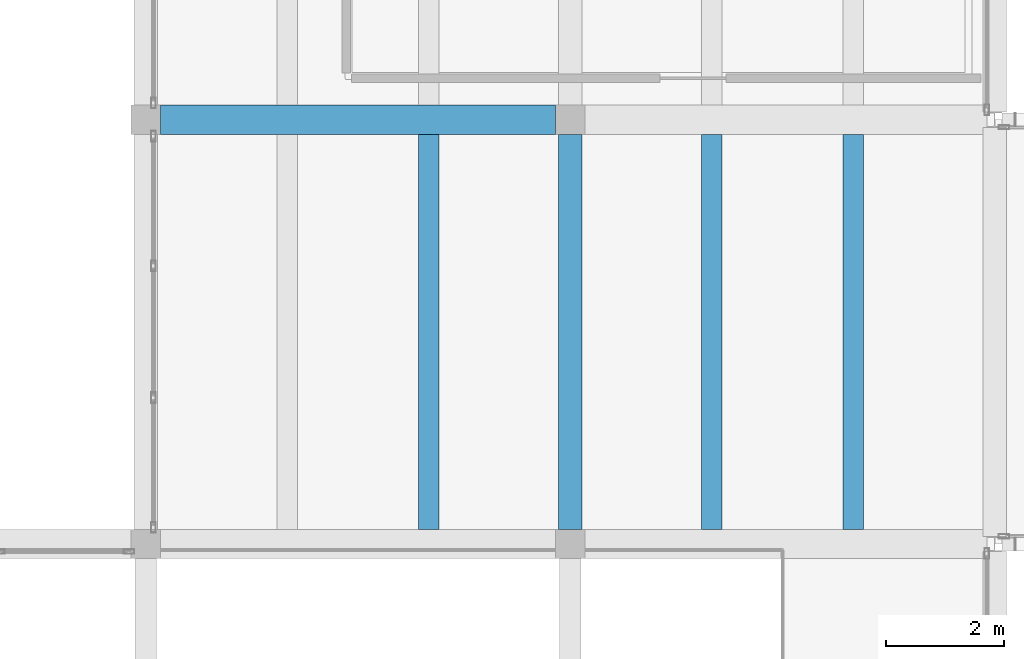
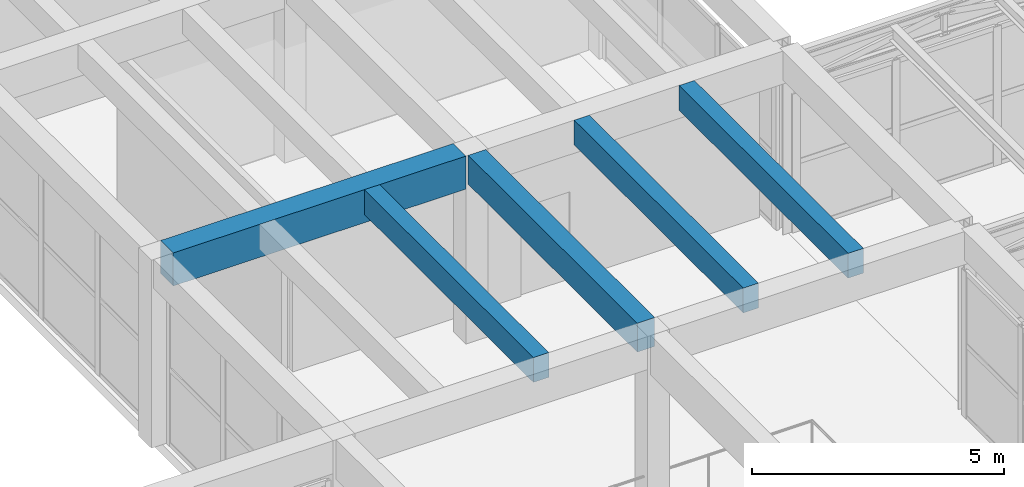
# One storey, part 43 of 153: 5 beams.
"""IFC4 building model written with IfcOpenShell, lengths in metres."""

import ifcopenshell
import ifcopenshell.guid

model = None  # the IFC model being written
_history = None  # IfcOwnerHistory: only IFC2X3 demands one
_inside = {}  # id of a spatial element -> (the spatial element, [elements in it])
_under = {}  # id of a project, library or spatial element -> (it, [spatial elements below it])
_declared = {}  # id of a project -> (the project, [libraries it declares])
_typed = {}  # id of a type object -> (the type object, [elements of that type])
_made_of = {}  # id of a material, layer set ... -> (it, [elements and type objects made of it])


def new_model(schema):
    """Start an empty IFC model of exactly this schema.

    Asked for "IFC4X3", IfcOpenShell would pick the latest addendum, in which some entities
    have other attributes; the version numbers below select the first issue.
    IFC2X3 requires an IfcOwnerHistory on every rooted entity: one is made here for all.
    """
    global model, _history
    if schema == "IFC4X3":
        model = ifcopenshell.file(schema_version=(4, 3, 0, 0))
    else:
        model = ifcopenshell.file(schema=schema)
    _inside.clear()
    _under.clear()
    _declared.clear()
    _typed.clear()
    _made_of.clear()
    _history = None
    if model.schema == "IFC2X3":
        org = make("IfcOrganization", Name="unknown")
        user = make(
            "IfcPersonAndOrganization",
            ThePerson=make("IfcPerson", FamilyName="unknown"),
            TheOrganization=org,
        )
        app = make(
            "IfcApplication",
            ApplicationDeveloper=org,
            Version="unknown",
            ApplicationFullName="unknown",
            ApplicationIdentifier="unknown",
        )
        _history = make(
            "IfcOwnerHistory",
            OwningUser=user,
            OwningApplication=app,
            ChangeAction="ADDED",
            CreationDate=0,
        )
    return model


def make(cls, **values):
    """One entity of the class cls with the attributes given. An attribute that is None is left unset."""
    return model.create_entity(
        cls, **{name: value for name, value in values.items() if value is not None}
    )


def rooted(cls, **values):
    """An entity with a GlobalId (a new one), such as an element, a storey or a relation."""
    return make(cls, GlobalId=ifcopenshell.guid.new(), OwnerHistory=_history, **values)


def si_unit(unit_type, name, prefix=None):
    """IfcSIUnit, for example si_unit("LENGTHUNIT", "METRE", prefix="MILLI")."""
    return make("IfcSIUnit", UnitType=unit_type, Prefix=prefix, Name=name)


def assignment(units):
    """IfcUnitAssignment: the units of a project."""
    return None if units is None else make("IfcUnitAssignment", Units=units)


def point(xyz):
    """IfcCartesianPoint."""
    return None if xyz is None else make("IfcCartesianPoint", Coordinates=xyz)


def direction(xyz):
    """IfcDirection."""
    return None if xyz is None else make("IfcDirection", DirectionRatios=xyz)


def frame(location, z_axis=None, x_axis=None):
    """IfcAxis2Placement3D, a coordinate frame: its origin and axes. An axis left out is left unset."""
    return make(
        "IfcAxis2Placement3D",
        Location=point(location),
        Axis=direction(z_axis),
        RefDirection=direction(x_axis),
    )


def frame_2d(location, x_axis=None):
    """IfcAxis2Placement2D, a coordinate frame in the plane: its origin and x axis."""
    return make(
        "IfcAxis2Placement2D", Location=point(location), RefDirection=direction(x_axis)
    )


def origin():
    """The frame at (0, 0, 0) with its axes left unset."""
    return frame((0.0, 0.0, 0.0))


def origin_2d():
    """The frame at (0, 0) in the plane with its x axis left unset."""
    return frame_2d((0.0, 0.0))


def place(relative_to, where):
    """IfcLocalPlacement: puts the frame where relative to a parent placement (None: the world)."""
    return make(
        "IfcLocalPlacement", PlacementRelTo=relative_to, RelativePlacement=where
    )


def context(
    kind, dimensions, precision=None, world=None, true_north=None, identifier=None
):
    """IfcGeometricRepresentationContext, for example the 3D "Model" context."""
    return make(
        "IfcGeometricRepresentationContext",
        ContextIdentifier=identifier,
        ContextType=kind,
        CoordinateSpaceDimension=dimensions,
        Precision=precision,
        WorldCoordinateSystem=world,
        TrueNorth=true_north,
    )


def subcontext(parent, identifier, kind, view, scale=None):
    """IfcGeometricRepresentationSubContext, for example "Body" below "Model"."""
    return make(
        "IfcGeometricRepresentationSubContext",
        ContextIdentifier=identifier,
        ContextType=kind,
        ParentContext=parent,
        TargetScale=scale,
        TargetView=view,
    )


def project(units=None, contexts=None):
    """IfcProject with its units and contexts."""
    return rooted(
        "IfcProject",
        Name="project",
        RepresentationContexts=contexts,
        UnitsInContext=assignment(units),
    )


def spatial(cls, under=None, at=None, **own):
    """A site, building, storey or space (cls), placed at a placement, below another one or the project."""
    s = rooted(cls, ObjectPlacement=at, **own)
    if under is not None:
        _under.setdefault(under.id(), (under, []))[1].append(s)
    return s


def profile(cls, at=None, kind="AREA", **sizes):
    """A parametric profile (cls). Its sizes go by their IFC names, for example OverallWidth=200.0."""
    return make(cls, ProfileType=kind, Position=at, **sizes)


def rectangle(**sizes):
    """IfcRectangleProfileDef."""
    return profile("IfcRectangleProfileDef", **sizes)


def extrude(swept, where, along, depth):
    """IfcExtrudedAreaSolid: the profile swept, set in the frame where, extruded along a direction by depth."""
    return make(
        "IfcExtrudedAreaSolid",
        SweptArea=swept,
        Position=where,
        ExtrudedDirection=direction(along),
        Depth=depth,
    )


def shape(context_of_items, identifier, shape_type, items):
    """IfcShapeRepresentation: the items that make up one representation, for example the "Body"."""
    return make(
        "IfcShapeRepresentation",
        ContextOfItems=context_of_items,
        RepresentationIdentifier=identifier,
        RepresentationType=shape_type,
        Items=items,
    )


def material(Name=None, Category=None):
    """IfcMaterial."""
    return make("IfcMaterial", Name=Name, Category=Category)


def material_profile(
    of_material, cross_section, Name=None, Category=None, Priority=None
):
    """IfcMaterialProfile: a cross section and its material."""
    return make(
        "IfcMaterialProfile",
        Name=Name,
        Material=of_material,
        Profile=cross_section,
        Priority=Priority,
        Category=Category,
    )


def profile_set(profiles, Name=None, composite=None):
    """IfcMaterialProfileSet."""
    return make(
        "IfcMaterialProfileSet",
        Name=Name,
        MaterialProfiles=profiles,
        CompositeProfile=composite,
    )


def made_of(thing, what):
    """Note that an element or type object is made of a material, layer set ...; save() writes the relation."""
    if what is not None:
        _made_of.setdefault(what.id(), (what, []))[1].append(thing)
    return thing


def type_object(cls, material=None, **own):
    """A type object (cls), such as IfcWallType, which elements share."""
    return made_of(rooted(cls, **own), material)


def element(
    cls,
    number,
    at=None,
    inside=None,
    cuts=None,
    type_object=None,
    material=None,
    context=None,
    identifier="Body",
    shape_type=None,
    held_by="IfcProductDefinitionShape",
    body=None,
    shapes=None,
    **own,
):
    """One element of the class cls, such as IfcWall. Its Tag is "e" and its number.

    at: its placement. inside: the storey or other place that contains it. cuts: it is an
    opening in that element (IfcRelVoidsElement). A single representation is given by context,
    identifier, shape_type and body (its items); several are given by shapes. held_by: the class
    of the entity that holds the representations. save() writes the other relations.
    """
    e = rooted(cls, Tag="e%d" % number, ObjectPlacement=at, **own)
    if body is not None:
        shapes = [shape(context, identifier, shape_type, body)]
    if shapes is not None:
        e.Representation = make(held_by, Representations=shapes)
    if inside is not None:
        _inside.setdefault(inside.id(), (inside, []))[1].append(e)
    if cuts is not None:
        rooted(
            "IfcRelVoidsElement", RelatingBuildingElement=cuts, RelatedOpeningElement=e
        )
    if type_object is not None:
        _typed.setdefault(type_object.id(), (type_object, []))[1].append(e)
    return made_of(e, material)


def aggregate(whole, parts):
    """IfcRelAggregates: a whole, such as a stair, and the parts it consists of."""
    return rooted("IfcRelAggregates", RelatingObject=whole, RelatedObjects=parts)


def save(model, path):
    """Write the relations noted so far, then the file.

    IfcRelAggregates (storeys below a building ...), IfcRelContainedInSpatialStructure (elements
    in a storey), IfcRelDefinesByType, IfcRelAssociatesMaterial and IfcRelDeclares: one each for
    every whole, place, type object, material and project.
    """
    for whole, parts in _under.values():
        aggregate(whole, parts)
    for where, things in _inside.values():
        rooted(
            "IfcRelContainedInSpatialStructure",
            RelatedElements=things,
            RelatingStructure=where,
        )
    for kind, things in _typed.values():
        rooted("IfcRelDefinesByType", RelatedObjects=things, RelatingType=kind)
    for what, things in _made_of.values():
        rooted("IfcRelAssociatesMaterial", RelatedObjects=things, RelatingMaterial=what)
    for by, libraries in _declared.values():
        rooted("IfcRelDeclares", RelatingContext=by, RelatedDefinitions=libraries)
    model.write(path)


model = new_model("IFC4")

# Units and contexts
model_context = context("Model", 3, precision=1e-05, world=origin(), true_north=direction((0.0, 1.0)))
body_context = subcontext(model_context, "Body", "Model", "MODEL_VIEW")
ifc_project = project(units=[si_unit("LENGTHUNIT", "METRE"), si_unit("AREAUNIT", "SQUARE_METRE"), si_unit("VOLUMEUNIT", "CUBIC_METRE"), si_unit("PLANEANGLEUNIT", "RADIAN"), si_unit("MASSUNIT", "GRAM", prefix="KILO")], contexts=[model_context])

# Site, building, storey
site_placement = place(None, origin())
site = spatial("IfcSite", under=ifc_project, at=site_placement, CompositionType="ELEMENT")
building_placement = place(site_placement, origin())
building = spatial("IfcBuilding", under=site, at=building_placement, Name="Bramvelor Terrace Health Centre", CompositionType="ELEMENT")
storey_placement = place(building_placement, frame((0.0, 0.0, 4.800048828125)))
storey = spatial("IfcBuildingStorey", under=building, at=storey_placement, Name="L02", CompositionType="ELEMENT", Elevation=4.800048828125)

# Beams
ifc_material_1 = material(Name="Concrete C40/50", Category="concrete")
ifc_material_profile_1 = material_profile(ifc_material_1, rectangle(XDim=0.39990234375, YDim=0.699951171875, at=origin_2d()), Name="RC 400x700")
ifc_profile_set_1 = profile_set([ifc_material_profile_1], Name="Concrete C40/50")
beam_type_1 = type_object("IfcBeamType", Name="BM-RC-G700", PredefinedType="BEAM", material=ifc_profile_set_1)
beam_1_placement = place(storey_placement, frame((86.39990234375, 50.64990234375, 4.199951171875), z_axis=(0.0, 1.0, 0.0), x_axis=(-1.0, 0.0, 0.0)))
element("IfcBeam", 1, at=beam_1_placement, inside=storey, type_object=beam_type_1, Name="L02 Floor Girder", PredefinedType="BEAM", context=body_context, shape_type="SweptSolid", body=[
    extrude(rectangle(XDim=0.39990234375, YDim=0.699951171875, at=origin_2d()), origin(), (0.0, 0.0, 1.0), 6.7001953125),
])
ifc_material_2 = material(Name="Concrete C40/50", Category="concrete")
ifc_material_profile_2 = material_profile(ifc_material_2, rectangle(XDim=0.5, YDim=0.800048828125, at=origin_2d()), Name="RC 500x800")
ifc_profile_set_2 = profile_set([ifc_material_profile_2], Name="Concrete C40/50")
beam_type_2 = type_object("IfcBeamType", Name="BM-RC-G800", PredefinedType="BEAM", material=ifc_profile_set_2)
beam_2_placement = place(storey_placement, frame((79.449951171875, 57.60009765625, 4.14990234375), z_axis=(1.0, 0.0, 0.0), x_axis=(0.0, 1.0, 0.0)))
element("IfcBeam", 2, at=beam_2_placement, inside=storey, type_object=beam_type_2, Name="L02 Floor Girder", PredefinedType="BEAM", context=body_context, shape_type="SweptSolid", body=[
    extrude(rectangle(XDim=0.5, YDim=0.800048828125, at=origin_2d()), origin(), (0.0, 0.0, 1.0), 6.699951171875),
])
ifc_material_3 = material(Name="Concrete C40/50", Category="concrete")
ifc_material_profile_3 = material_profile(ifc_material_3, rectangle(XDim=0.35009765625, YDim=0.60009765625, at=origin_2d()), Name="RC 350x600")
ifc_profile_set_3 = profile_set([ifc_material_profile_3], Name="Concrete C40/50")
beam_type_3 = type_object("IfcBeamType", Name="BM-RC-J600", PredefinedType="JOIST", material=ifc_profile_set_3)
for number, where, z_axis, x_axis, name in (
    (3, (84.0, 50.64990234375, 4.25), (0.0, 1.0, 0.0), (-1.0, 0.0, 0.0), "L02 Secondary Floor Joist"),
    (4, (88.800048828125, 50.64990234375, 4.25), (0.0, 1.0, 0.0), (-1.0, 0.0, 0.0), "L02 Secondary Floor Joist"),
    (5, (91.199951171875, 50.64990234375, 4.25), (0.0, 1.0, 0.0), (-1.0, 0.0, 0.0), "L02 Secondary Floor Joist"),
):
    element("IfcBeam", number, at=place(storey_placement, frame(where, z_axis=z_axis, x_axis=x_axis)), inside=storey, type_object=beam_type_3, Name=name, PredefinedType="JOIST", context=body_context, shape_type="SweptSolid", body=[
        extrude(rectangle(XDim=0.35009765625, YDim=0.60009765625, at=origin_2d()), origin(), (0.0, 0.0, 1.0), 6.7001953125),
    ])

save(model, "model.ifc")
